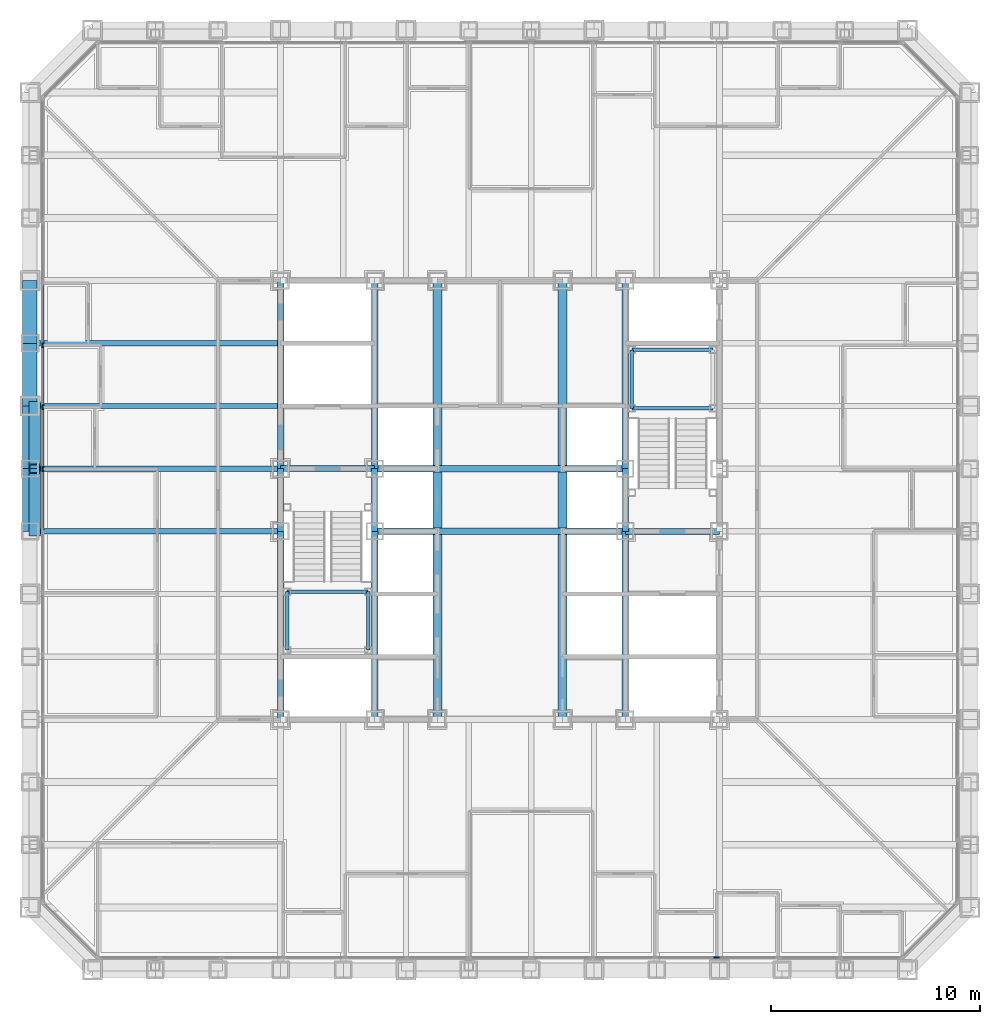
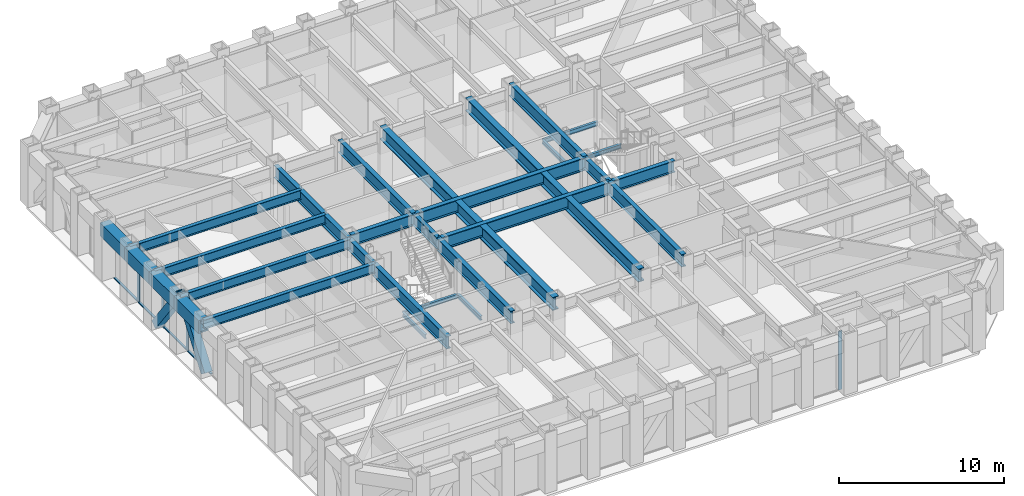
# One storey, part 3 of 17: 33 beams, 10 members, 2 elements without a shape of their own.
"""IFC4 building model written with IfcOpenShell, lengths in metres."""

from ifc_helpers import new_model, si_unit, direction, frame, origin, origin_2d, place, context, subcontext, project, spatial, rectangle, hollow_rectangle, i_section, extrude, material, layer, layer_set, material_profile, profile_set, type_object, element, aggregate, save


model = new_model("IFC4")

# Units and contexts
model_context = context("Model", 3, precision=1e-05, world=origin(), true_north=direction((0.0, 1.0)))
body_context = subcontext(model_context, "Body", "Model", "MODEL_VIEW")
ifc_project = project(units=[si_unit("LENGTHUNIT", "METRE"), si_unit("AREAUNIT", "SQUARE_METRE"), si_unit("VOLUMEUNIT", "CUBIC_METRE"), si_unit("PLANEANGLEUNIT", "RADIAN"), si_unit("MASSUNIT", "GRAM", prefix="KILO")], contexts=[model_context])

# Site, building, storey
site_placement = place(None, origin())
site = spatial("IfcSite", under=ifc_project, at=site_placement, CompositionType="ELEMENT")
building_placement = place(site_placement, origin())
building = spatial("IfcBuilding", under=site, at=building_placement, Name="Chuquiago Exchange Tower", CompositionType="ELEMENT")
storey_placement = place(building_placement, frame((0.0, 0.0, 87.300048828125)))
storey = spatial("IfcBuildingStorey", under=building, at=storey_placement, Name="L18", CompositionType="ELEMENT", Elevation=87.300048828125)

# Beams
ifc_material_1 = material(Name="Steel ASTM A992", Category="steel")
ifc_material_profile_1 = material_profile(ifc_material_1, i_section(OverallWidth=0.307373046875, OverallDepth=0.927001953125, WebThickness=0.01953125, FlangeThickness=0.031982421875, at=origin_2d()), Name="W36X194")
ifc_profile_set_1 = profile_set([ifc_material_profile_1], Name="Steel ASTM A992")
beam_type_1 = type_object("IfcBeamType", Name="B10 W36X194", PredefinedType="BEAM", material=ifc_profile_set_1)
for number, where, z_axis, x_axis, name in (
    (1, (12.0, 12.0, 3.576416015625), (0.0, 1.0, 0.0), (-1.0, 0.0, 0.0), "CB-L19-12_12-12_21"),
    (2, (12.0, 24.0, 3.576416015625), (0.0, 1.0, 0.0), (-1.0, 0.0, 0.0), "CB-L19-12_24-12_33"),
    (3, (16.5, 12.0, 3.87646484375), (0.0, 1.0, 0.0), (-1.0, 0.0, 0.0), "CB-L19-16.5_12-16.5_21"),
    (4, (16.5, 24.0, 3.87646484375), (0.0, 1.0, 0.0), (-1.0, 0.0, 0.0), "CB-L19-16.5_24-16.5_33"),
    (5, (28.5, 12.0, 3.87646484375), (0.0, 1.0, 0.0), (-1.0, 0.0, 0.0), "CB-L19-28.5_12-28.5_21"),
    (6, (28.5, 24.0, 3.87646484375), (0.0, 1.0, 0.0), (-1.0, 0.0, 0.0), "CB-L19-28.5_24-28.5_33"),
):
    element("IfcBeam", number, at=place(storey_placement, frame(where, z_axis=z_axis, x_axis=x_axis)), inside=storey, type_object=beam_type_1, Name=name, PredefinedType="BEAM", context=body_context, shape_type="SweptSolid", body=[
        extrude(i_section(OverallWidth=0.307373046875, OverallDepth=0.927001953125, WebThickness=0.01953125, FlangeThickness=0.031982421875, at=origin_2d()), origin(), (0.0, 0.0, 1.0), 9.0),
    ])
ifc_material_2 = material(Name="Steel ASTM A992", Category="steel")
ifc_material_profile_2 = material_profile(ifc_material_2, i_section(OverallWidth=0.309814453125, OverallDepth=0.949951171875, WebThickness=0.0244140625, FlangeThickness=0.0439453125, at=origin_2d()), Name="W36X256")
ifc_profile_set_2 = profile_set([ifc_material_profile_2], Name="Steel ASTM A992")
beam_type_2 = type_object("IfcBeamType", Name="B11 W36X256", PredefinedType="BEAM", material=ifc_profile_set_2)
for number, where, z_axis, x_axis, name in (
    (7, (16.5, 21.0, 3.864990234375), (1.0, 0.0, 0.0), (0.0, 1.0, 0.0), "CB-L19-16.5_21-28.5_21"),
    (8, (16.5, 24.0, 3.864990234375), (1.0, 0.0, 0.0), (0.0, 1.0, 0.0), "CB-L19-16.5_24-28.5_24"),
):
    element("IfcBeam", number, at=place(storey_placement, frame(where, z_axis=z_axis, x_axis=x_axis)), inside=storey, type_object=beam_type_2, Name=name, PredefinedType="BEAM", context=body_context, shape_type="SweptSolid", body=[
        extrude(i_section(OverallWidth=0.309814453125, OverallDepth=0.949951171875, WebThickness=0.0244140625, FlangeThickness=0.0439453125, at=origin_2d()), origin(), (0.0, 0.0, 1.0), 12.0),
    ])
ifc_material_3 = material(Name="Steel ASTM A992", Category="steel")
ifc_material_profile_3 = material_profile(ifc_material_3, i_section(OverallWidth=0.4267578125, OverallDepth=0.975341796875, WebThickness=0.031005859375, FlangeThickness=0.055908203125, at=origin_2d()), Name="W36X395")
ifc_profile_set_3 = profile_set([ifc_material_profile_3], Name="Steel ASTM A992")
beam_type_3 = type_object("IfcBeamType", Name="B12 W36X395", PredefinedType="BEAM", material=ifc_profile_set_3)
beam_1_placement = place(storey_placement, frame((19.5, 12.0, 3.852294921875), z_axis=(0.0, 1.0, 0.0), x_axis=(-1.0, 0.0, 0.0)))
element("IfcBeam", 9, at=beam_1_placement, inside=storey, type_object=beam_type_3, Name="CB-L19-19.5_12-19.5_20.8451", PredefinedType="BEAM", context=body_context, shape_type="SweptSolid", body=[
    extrude(i_section(OverallWidth=0.4267578125, OverallDepth=0.975341796875, WebThickness=0.031005859375, FlangeThickness=0.055908203125, at=origin_2d()), origin(), (0.0, 0.0, 1.0), 8.84521484375),
])
beam_2_placement = place(storey_placement, frame((19.5, 21.15478515625, 3.852294921875), z_axis=(0.0, 1.0, 0.0), x_axis=(-1.0, 0.0, 0.0)))
element("IfcBeam", 10, at=beam_2_placement, inside=storey, type_object=beam_type_3, Name="CB-L19-19.5_21.1549-19.5_23.8451", PredefinedType="BEAM", context=body_context, shape_type="SweptSolid", body=[
    extrude(i_section(OverallWidth=0.4267578125, OverallDepth=0.975341796875, WebThickness=0.031005859375, FlangeThickness=0.055908203125, at=origin_2d()), origin(), (0.0, 0.0, 1.0), 2.6904296875),
])
for number, where, z_axis, x_axis, name in (
    (11, (19.5, 24.15478515625, 3.852294921875), (0.0, 1.0, 0.0), (-1.0, 0.0, 0.0), "CB-L19-19.5_24.1549-19.5_33"),
    (12, (25.5, 12.0, 3.852294921875), (0.0, 1.0, 0.0), (-1.0, 0.0, 0.0), "CB-L19-25.5_12-25.5_20.8451"),
):
    element("IfcBeam", number, at=place(storey_placement, frame(where, z_axis=z_axis, x_axis=x_axis)), inside=storey, type_object=beam_type_3, Name=name, PredefinedType="BEAM", context=body_context, shape_type="SweptSolid", body=[
        extrude(i_section(OverallWidth=0.4267578125, OverallDepth=0.975341796875, WebThickness=0.031005859375, FlangeThickness=0.055908203125, at=origin_2d()), origin(), (0.0, 0.0, 1.0), 8.84521484375),
    ])
beam_3_placement = place(storey_placement, frame((25.5, 21.15478515625, 3.852294921875), z_axis=(0.0, 1.0, 0.0), x_axis=(-1.0, 0.0, 0.0)))
element("IfcBeam", 13, at=beam_3_placement, inside=storey, type_object=beam_type_3, Name="CB-L19-25.5_21.1549-25.5_23.8451", PredefinedType="BEAM", context=body_context, shape_type="SweptSolid", body=[
    extrude(i_section(OverallWidth=0.4267578125, OverallDepth=0.975341796875, WebThickness=0.031005859375, FlangeThickness=0.055908203125, at=origin_2d()), origin(), (0.0, 0.0, 1.0), 2.6904296875),
])
beam_4_placement = place(storey_placement, frame((25.5, 24.15478515625, 3.852294921875), z_axis=(0.0, 1.0, 0.0), x_axis=(-1.0, 0.0, 0.0)))
element("IfcBeam", 14, at=beam_4_placement, inside=storey, type_object=beam_type_3, Name="CB-L19-25.5_24.1549-25.5_33", PredefinedType="BEAM", context=body_context, shape_type="SweptSolid", body=[
    extrude(i_section(OverallWidth=0.4267578125, OverallDepth=0.975341796875, WebThickness=0.031005859375, FlangeThickness=0.055908203125, at=origin_2d()), origin(), (0.0, 0.0, 1.0), 8.84521484375),
])
ifc_material_4 = material(Name="Steel ASTM A992", Category="steel")
ifc_material_profile_4 = material_profile(ifc_material_4, i_section(OverallWidth=0.2919921875, OverallDepth=0.8583984375, WebThickness=0.01708984375, FlangeThickness=0.031005859375, at=origin_2d()), Name="W33X169")
ifc_profile_set_4 = profile_set([ifc_material_profile_4], Name="Steel ASTM A992")
beam_type_4 = type_object("IfcBeamType", Name="B3 W33X169", PredefinedType="BEAM", material=ifc_profile_set_4)
for number, where, z_axis, x_axis, name in (
    (15, (12.0, 21.0, 3.610595703125), (0.0, 1.0, 0.0), (-1.0, 0.0, 0.0), "CB-L19-12_21-12_24"),
    (16, (16.5, 21.0, 3.91064453125), (0.0, 1.0, 0.0), (-1.0, 0.0, 0.0), "CB-L19-16.5_21-16.5_24"),
    (17, (28.5, 21.0, 3.91064453125), (0.0, 1.0, 0.0), (-1.0, 0.0, 0.0), "CB-L19-28.5_21-28.5_24"),
):
    element("IfcBeam", number, at=place(storey_placement, frame(where, z_axis=z_axis, x_axis=x_axis)), inside=storey, type_object=beam_type_4, Name=name, PredefinedType="BEAM", context=body_context, shape_type="SweptSolid", body=[
        extrude(i_section(OverallWidth=0.2919921875, OverallDepth=0.8583984375, WebThickness=0.01708984375, FlangeThickness=0.031005859375, at=origin_2d()), origin(), (0.0, 0.0, 1.0), 3.0),
    ])
for number, where, z_axis, x_axis, name in (
    (18, (28.5, 21.0, 3.91064453125), (1.0, 0.0, 0.0), (0.0, 1.0, 0.0), "CB-L19-28.5_21-33_21"),
    (19, (12.0, 24.0, 3.91064453125), (1.0, 0.0, 0.0), (0.0, 1.0, 0.0), "CB-L19-12_24-16.5_24"),
):
    element("IfcBeam", number, at=place(storey_placement, frame(where, z_axis=z_axis, x_axis=x_axis)), inside=storey, type_object=beam_type_4, Name=name, PredefinedType="BEAM", context=body_context, shape_type="SweptSolid", body=[
        extrude(i_section(OverallWidth=0.2919921875, OverallDepth=0.8583984375, WebThickness=0.01708984375, FlangeThickness=0.031005859375, at=origin_2d()), origin(), (0.0, 0.0, 1.0), 4.5),
    ])
ifc_material_5 = material(Name="Steel ASTM A992", Category="steel")
ifc_material_profile_5 = material_profile(ifc_material_5, i_section(OverallWidth=0.256591796875, OverallDepth=0.693359375, WebThickness=0.014404296875, FlangeThickness=0.023681640625, at=origin_2d()), Name="W27X114")
ifc_profile_set_5 = profile_set([ifc_material_profile_5], Name="Steel ASTM A992")
beam_type_5 = type_object("IfcBeamType", Name="B4 W27X114", PredefinedType="BEAM", material=ifc_profile_set_5)
for number, where, z_axis, x_axis, name in (
    (20, (12.0, 21.0, 3.693359375), (-1.0, 0.0, 0.0), (0.0, -1.0, 0.0), "FB-L19-infill-12_21--0_21-0"),
    (21, (12.0, 24.0, 3.693359375), (-1.0, 0.0, 0.0), (0.0, -1.0, 0.0), "FB-L19-infill-12_24--0_24-0"),
    (22, (12.0, 27.0, 3.693359375), (-1.0, 0.0, 0.0), (0.0, -1.0, 0.0), "FB-L19-infill-12_27--0_27-0"),
    (23, (12.0, 30.0, 3.693359375), (-1.0, 0.0, 0.0), (0.0, -1.0, 0.0), "FB-L19-infill-12_30--0_30-0"),
):
    element("IfcBeam", number, at=place(storey_placement, frame(where, z_axis=z_axis, x_axis=x_axis)), inside=storey, type_object=beam_type_5, Name=name, PredefinedType="BEAM", context=body_context, shape_type="SweptSolid", body=[
        extrude(i_section(OverallWidth=0.256591796875, OverallDepth=0.693359375, WebThickness=0.014404296875, FlangeThickness=0.023681640625, at=origin_2d()), origin(), (0.0, 0.0, 1.0), 12.0),
    ])

# Curtain wall, member
ifc_material_6 = material(Name="Aluminium curtain wall system", Category="aluminium")
ifc_layer = layer(ifc_material_6, 0.25)
ifc_layer_set = layer_set([ifc_layer], Name="CW1 trading floor curtain wall")
curtain_wall_type = type_object("IfcCurtainWallType", Name="CW1 trading floor curtain wall", PredefinedType="NOTDEFINED", material=ifc_layer_set)
curtain_wall_1_placement = place(storey_placement, origin())
curtain_wall_1 = element("IfcCurtainWall", 24, at=curtain_wall_1_placement, inside=storey, type_object=curtain_wall_type, Name="CW1 curtain wall L18", PredefinedType="NOTDEFINED")
ifc_material_7 = material(Name="Aluminium mullion, pale anodised", Category="aluminium")
ifc_material_profile_6 = material_profile(ifc_material_7, rectangle(XDim=0.074951171875, YDim=0.25, at=origin_2d()), Name="AL 75x250")
ifc_profile_set_6 = profile_set([ifc_material_profile_6], Name="Aluminium mullion, pale anodised")
member_type_1 = type_object("IfcMemberType", Name="CW1-M mullion 75x250", PredefinedType="MULLION", material=ifc_profile_set_6)
member_1_placement = place(storey_placement, frame((32.8662109375, 0.60009765625, -0.300048828125), z_axis=(0.0, 0.0, 1.0), x_axis=(0.0, 1.0, 0.0)))
member_1 = element("IfcMember", 25, at=member_1_placement, type_object=member_type_1, Name="CW1 mullion 11", PredefinedType="MULLION", context=body_context, shape_type="SweptSolid", body=[
    extrude(rectangle(XDim=0.074951171875, YDim=0.25, at=origin_2d()), origin(), (0.0, 0.0, 1.0), 4.340087890625),
])
aggregate(curtain_wall_1, [member_1])

# Curtain wall, members
curtain_wall_2_placement = place(storey_placement, origin())
curtain_wall_2 = element("IfcCurtainWall", 26, at=curtain_wall_2_placement, inside=storey, type_object=curtain_wall_type, Name="CW1 curtain wall L18", PredefinedType="NOTDEFINED")
member_2_placement = place(storey_placement, frame((0.60009765625, 29.904541015625, -0.300048828125), z_axis=(0.0, 0.0, 1.0), x_axis=(1.0, 0.0, 0.0)))
member_2 = element("IfcMember", 27, at=member_2_placement, type_object=member_type_1, Name="CW1 mullion 5", PredefinedType="MULLION", context=body_context, shape_type="SweptSolid", body=[
    extrude(rectangle(XDim=0.074951171875, YDim=0.25, at=origin_2d()), origin(), (0.0, 0.0, 1.0), 4.340087890625),
])
member_3_placement = place(storey_placement, frame((0.60009765625, 26.942626953125, -0.300048828125), z_axis=(0.0, 0.0, 1.0), x_axis=(1.0, 0.0, 0.0)))
member_3 = element("IfcMember", 28, at=member_3_placement, type_object=member_type_1, Name="CW1 mullion 6", PredefinedType="MULLION", context=body_context, shape_type="SweptSolid", body=[
    extrude(rectangle(XDim=0.074951171875, YDim=0.25, at=origin_2d()), origin(), (0.0, 0.0, 1.0), 4.340087890625),
])
member_4_placement = place(storey_placement, frame((0.60009765625, 23.98095703125, -0.300048828125), z_axis=(0.0, 0.0, 1.0), x_axis=(1.0, 0.0, 0.0)))
member_4 = element("IfcMember", 29, at=member_4_placement, type_object=member_type_1, Name="CW1 mullion 7", PredefinedType="MULLION", context=body_context, shape_type="SweptSolid", body=[
    extrude(rectangle(XDim=0.074951171875, YDim=0.25, at=origin_2d()), origin(), (0.0, 0.0, 1.0), 4.340087890625),
])
ifc_material_8 = material(Name="Aluminium transom, pale anodised", Category="aluminium")
ifc_material_profile_7 = material_profile(ifc_material_8, rectangle(XDim=0.14990234375, YDim=0.074951171875, at=origin_2d()), Name="AL 150x75")
ifc_profile_set_7 = profile_set([ifc_material_profile_7], Name="Aluminium transom, pale anodised")
member_type_2 = type_object("IfcMemberType", Name="CW1-T transom 75x150", PredefinedType="MULLION", material=ifc_profile_set_7)
member_5_placement = place(storey_placement, frame((0.60009765625, 32.82861328125, -0.262451171875), z_axis=(0.0, -1.0, 0.0), x_axis=(1.0, 0.0, 0.0)))
member_5 = element("IfcMember", 30, at=member_5_placement, type_object=member_type_2, Name="CW1 transom 4.1", PredefinedType="MULLION", context=body_context, shape_type="SweptSolid", body=[
    extrude(rectangle(XDim=0.14990234375, YDim=0.074951171875, at=origin_2d()), origin(), (0.0, 0.0, 1.0), 2.88671875),
])
member_6_placement = place(storey_placement, frame((0.60009765625, 29.866943359375, -0.262451171875), z_axis=(0.0, -1.0, 0.0), x_axis=(1.0, 0.0, 0.0)))
member_6 = element("IfcMember", 31, at=member_6_placement, type_object=member_type_2, Name="CW1 transom 5.1", PredefinedType="MULLION", context=body_context, shape_type="SweptSolid", body=[
    extrude(rectangle(XDim=0.14990234375, YDim=0.074951171875, at=origin_2d()), origin(), (0.0, 0.0, 1.0), 2.88671875),
])
member_7_placement = place(storey_placement, frame((0.60009765625, 26.9052734375, -0.262451171875), z_axis=(0.0, -1.0, 0.0), x_axis=(1.0, 0.0, 0.0)))
member_7 = element("IfcMember", 32, at=member_7_placement, type_object=member_type_2, Name="CW1 transom 6.1", PredefinedType="MULLION", context=body_context, shape_type="SweptSolid", body=[
    extrude(rectangle(XDim=0.14990234375, YDim=0.074951171875, at=origin_2d()), origin(), (0.0, 0.0, 1.0), 2.886962890625),
])
member_8_placement = place(storey_placement, frame((0.60009765625, 23.943359375, -0.262451171875), z_axis=(0.0, -1.0, 0.0), x_axis=(1.0, 0.0, 0.0)))
member_8 = element("IfcMember", 33, at=member_8_placement, type_object=member_type_2, Name="CW1 transom 7.1", PredefinedType="MULLION", context=body_context, shape_type="SweptSolid", body=[
    extrude(rectangle(XDim=0.14990234375, YDim=0.074951171875, at=origin_2d()), origin(), (0.0, 0.0, 1.0), 2.88671875),
])
aggregate(curtain_wall_2, [member_2, member_3, member_4, member_5, member_6, member_7, member_8])

# Beams
ifc_material_9 = material(Name="Steel ASTM A992", Category="steel")
ifc_material_profile_8 = material_profile(ifc_material_9, i_section(OverallWidth=0.164794921875, OverallDepth=0.309814453125, WebThickness=0.005859375, FlangeThickness=0.009765625, at=origin_2d()), Name="W12X26")
ifc_profile_set_8 = profile_set([ifc_material_profile_8], Name="Steel ASTM A992")
beam_type_6 = type_object("IfcBeamType", Name="LS1 W12X26", PredefinedType="BEAM", material=ifc_profile_set_8)
for number, where, z_axis, x_axis, name in (
    (34, (12.31005859375, 15.31005859375, 1.89501953125), (0.0, 1.0, 0.0), (-1.0, 0.0, 0.0), "Stair ST1 L18 landing 1 stringer"),
    (35, (16.18994140625, 15.31005859375, 1.89501953125), (0.0, 1.0, 0.0), (-1.0, 0.0, 0.0), "Stair ST1 L18 landing 1 stringer"),
    (36, (28.81005859375, 26.889892578125, 1.89501953125), (0.0, 1.0, 0.0), (-1.0, 0.0, 0.0), "Stair ST2 L18 landing 1 stringer"),
):
    element("IfcBeam", number, at=place(storey_placement, frame(where, z_axis=z_axis, x_axis=x_axis)), inside=storey, type_object=beam_type_6, Name=name, PredefinedType="BEAM", context=body_context, shape_type="SweptSolid", body=[
        extrude(i_section(OverallWidth=0.164794921875, OverallDepth=0.309814453125, WebThickness=0.005859375, FlangeThickness=0.009765625, at=origin_2d()), origin(), (0.0, 0.0, 1.0), 2.800048828125),
    ])
ifc_material_10 = material(Name="Steel ASTM A992", Category="steel")
ifc_material_profile_9 = material_profile(ifc_material_10, i_section(OverallWidth=0.164794921875, OverallDepth=0.309814453125, WebThickness=0.005859375, FlangeThickness=0.009765625, at=origin_2d()), Name="W12X26")
ifc_profile_set_9 = profile_set([ifc_material_profile_9], Name="Steel ASTM A992")
beam_type_7 = type_object("IfcBeamType", Name="LT1 W12X26", PredefinedType="BEAM", material=ifc_profile_set_9)
for number, where, z_axis, x_axis, name in (
    (37, (12.31005859375, 18.110107421875, 1.89501953125), (1.0, 0.0, 0.0), (0.0, 1.0, 0.0), "Stair ST1 L18 landing 1 trimmer"),
    (38, (28.81005859375, 29.68994140625, 1.89501953125), (1.0, 0.0, 0.0), (0.0, 1.0, 0.0), "Stair ST2 L18 landing 1 trimmer"),
    (39, (28.81005859375, 26.889892578125, 1.89501953125), (1.0, 0.0, 0.0), (0.0, 1.0, 0.0), "Stair ST2 L18 landing 1 trimmer"),
):
    element("IfcBeam", number, at=place(storey_placement, frame(where, z_axis=z_axis, x_axis=x_axis)), inside=storey, type_object=beam_type_7, Name=name, PredefinedType="BEAM", context=body_context, shape_type="SweptSolid", body=[
        extrude(i_section(OverallWidth=0.164794921875, OverallDepth=0.309814453125, WebThickness=0.005859375, FlangeThickness=0.009765625, at=origin_2d()), origin(), (0.0, 0.0, 1.0), 3.8798828125),
    ])

# Members
ifc_material_11 = material(Name="Steel ASTM A572 Grade 50", Category="steel")
ifc_material_profile_10 = material_profile(ifc_material_11, hollow_rectangle(XDim=0.550048828125, YDim=0.550048828125, WallThickness=0.044921875, at=origin_2d()), Name="BOX550X550X45")
ifc_profile_set_10 = profile_set([ifc_material_profile_10], Name="Steel ASTM A572 Grade 50")
member_type_3 = type_object("IfcMemberType", Name="MB1 BOX550X550X45", PredefinedType="BRACE", material=ifc_profile_set_10)
for number, where, z_axis, x_axis, name in (
    (40, (0.22998046875, 27.0, 0.0), (0.0, -0.596173923302, 0.802855312728), (1.0, 0.0, 0.0), "Mega diagonal L18 W face"),
    (41, (0.22998046875, 21.0, 0.0), (0.0, 0.596173923302, 0.802855312728), (-1.0, 0.0, 0.0), "Mega diagonal L18 W face"),
):
    element("IfcMember", number, at=place(storey_placement, frame(where, z_axis=z_axis, x_axis=x_axis)), inside=storey, type_object=member_type_3, Name=name, PredefinedType="BRACE", context=body_context, shape_type="SweptSolid", body=[
        extrude(hollow_rectangle(XDim=0.550048828125, YDim=0.550048828125, WallThickness=0.044921875, at=origin_2d()), origin(), (0.0, 0.0, 1.0), 5.031982421875),
    ])

# Beams
ifc_material_12 = material(Name="Steel ASTM A572 Grade 50", Category="steel")
ifc_material_profile_11 = material_profile(ifc_material_12, hollow_rectangle(XDim=0.699951171875, YDim=0.949951171875, WallThickness=0.10009765625, at=origin_2d()), Name="BOX950X700X100")
ifc_profile_set_11 = profile_set([ifc_material_profile_11], Name="Steel ASTM A572 Grade 50")
beam_type_8 = type_object("IfcBeamType", Name="SP5 BOX950X700X100", PredefinedType="SPANDREL", material=ifc_profile_set_11)
for number, where, z_axis, x_axis, name in (
    (42, (0.0, 33.0, 3.56494140625), (0.0, -1.0, 0.0), (1.0, 0.0, 0.0), "SPB-L19-0_33-0_30"),
    (43, (0.0, 30.0, 3.56494140625), (0.0, -1.0, 0.0), (1.0, 0.0, 0.0), "SPB-L19-0_30-0_27"),
    (44, (0.0, 27.0, 3.56494140625), (0.0, -1.0, 0.0), (1.0, 0.0, 0.0), "SPB-L19-0_27-0_24"),
    (45, (0.0, 24.0, 3.56494140625), (0.0, -1.0, 0.0), (1.0, 0.0, 0.0), "SPB-L19-0_24-0_21"),
):
    element("IfcBeam", number, at=place(storey_placement, frame(where, z_axis=z_axis, x_axis=x_axis)), inside=storey, type_object=beam_type_8, Name=name, PredefinedType="SPANDREL", context=body_context, shape_type="SweptSolid", body=[
        extrude(hollow_rectangle(XDim=0.699951171875, YDim=0.949951171875, WallThickness=0.10009765625, at=origin_2d()), origin(), (0.0, 0.0, 1.0), 3.0),
    ])

save(model, "model.ifc")
